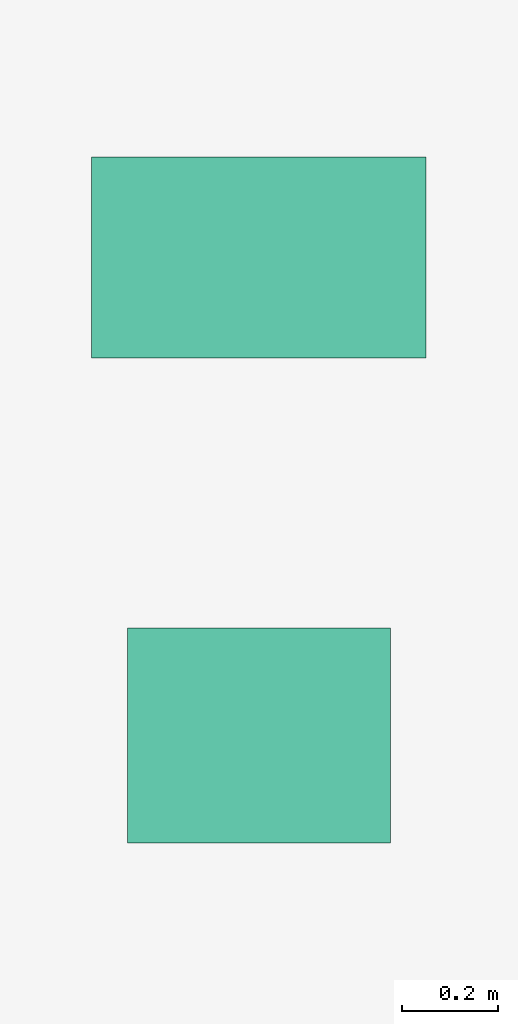
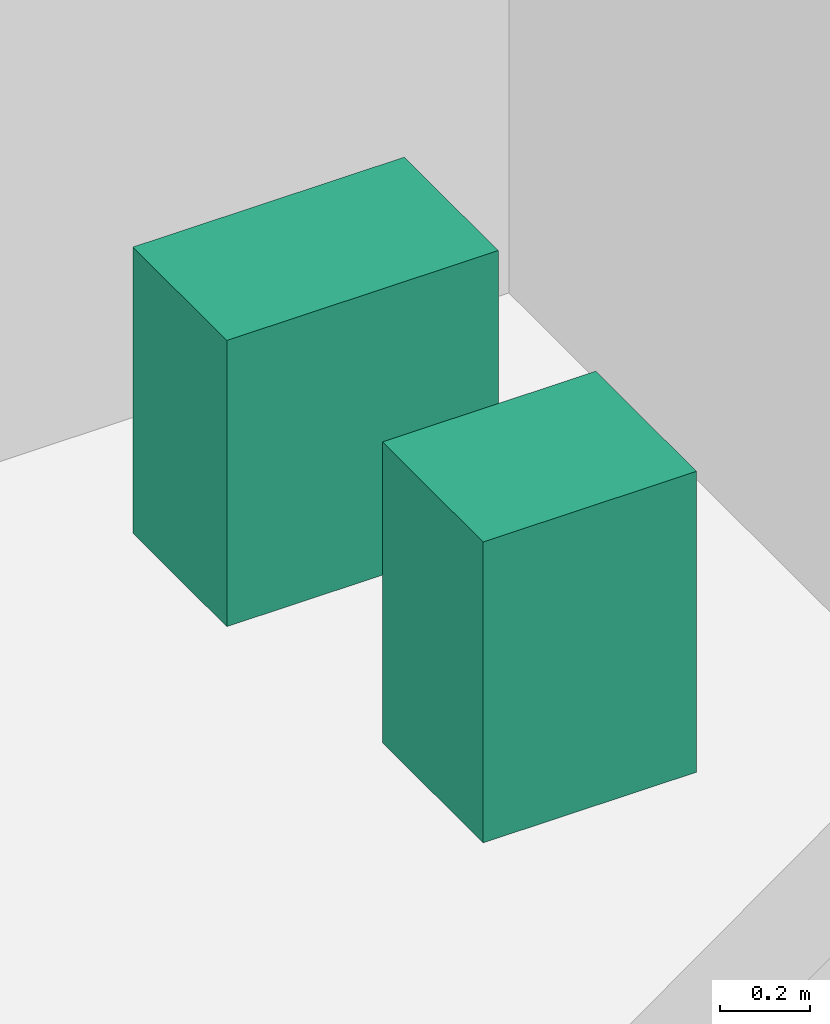
# One storey, part 37 of 37: 2 sanitary terminals.
"""IFC4 building model written with IfcOpenShell, lengths in metres."""

from ifc_helpers import new_model, si_unit, direction, frame, origin, origin_2d, place, context, subcontext, project, spatial, rectangle, extrude, source, transform, mapped, material, type_object, element, save


model = new_model("IFC4")

# Units and contexts
model_context = context("Model", 3, precision=1e-05, world=origin(), true_north=direction((0.0, 1.0)))
body_context = subcontext(model_context, "Body", "Model", "MODEL_VIEW")
ifc_project = project(units=[si_unit("LENGTHUNIT", "METRE"), si_unit("AREAUNIT", "SQUARE_METRE"), si_unit("VOLUMEUNIT", "CUBIC_METRE"), si_unit("PLANEANGLEUNIT", "RADIAN"), si_unit("MASSUNIT", "GRAM", prefix="KILO")], contexts=[model_context])

# Site, building, storey
site_placement = place(None, origin())
site = spatial("IfcSite", under=ifc_project, at=site_placement, CompositionType="ELEMENT")
building_placement = place(site_placement, origin())
building = spatial("IfcBuilding", under=site, at=building_placement, Name="Sumidabori Civic Tower", CompositionType="ELEMENT")
storey_placement = place(building_placement, frame((0.0, 0.0, 88.39990234375)))
storey = spatial("IfcBuildingStorey", under=building, at=storey_placement, Name="L22", CompositionType="ELEMENT", Elevation=88.39990234375)

# Sanitary terminals
ifc_material = material(Name="Vitreous Sanitary Porcelain")
sanitary_terminal_type_1 = type_object("IfcSanitaryTerminalType", Name="SN-WC-1", PredefinedType="TOILETPAN", material=ifc_material)
shared_shape_1 = source(origin(), body_context, "Body", "SweptSolid", [
    extrude(rectangle(XDim=0.699951171875, YDim=0.419921875, at=origin_2d()), origin(), (0.0, 0.0, 1.0), 0.780029296875),
])
sanitary_terminal_1_placement = place(storey_placement, frame((10.800048828125, 21.85009765625, 0.0), z_axis=(0.0, 0.0, 1.0), x_axis=(1.0, 0.0, 0.0)))
element("IfcSanitaryTerminal", 1, at=sanitary_terminal_1_placement, inside=storey, type_object=sanitary_terminal_type_1, Name="Accessible WC Pan L22", PredefinedType="TOILETPAN", context=body_context, shape_type="MappedRepresentation", body=[
    mapped(shared_shape_1, transform((0.0, 0.0, 0.0), x_axis=(1.0, 0.0, 0.0), y_axis=(0.0, 1.0, 0.0), z_axis=(0.0, 0.0, 1.0), scale=1.0)),
])
sanitary_terminal_type_2 = type_object("IfcSanitaryTerminalType", Name="SN-BAS-1", PredefinedType="WASHHANDBASIN", material=ifc_material)
shared_shape_2 = source(origin(), body_context, "Body", "SweptSolid", [
    extrude(rectangle(XDim=0.550048828125, YDim=0.449951171875, at=origin_2d()), origin(), (0.0, 0.0, 1.0), 0.820068359375),
])
sanitary_terminal_2_placement = place(storey_placement, frame((10.800048828125, 20.85009765625, 0.0), z_axis=(0.0, 0.0, 1.0), x_axis=(1.0, 0.0, 0.0)))
element("IfcSanitaryTerminal", 2, at=sanitary_terminal_2_placement, inside=storey, type_object=sanitary_terminal_type_2, Name="Accessible Basin L22", PredefinedType="WASHHANDBASIN", context=body_context, shape_type="MappedRepresentation", body=[
    mapped(shared_shape_2, transform((0.0, 0.0, 0.0), x_axis=(1.0, 0.0, 0.0), y_axis=(0.0, 1.0, 0.0), z_axis=(0.0, 0.0, 1.0), scale=1.0)),
])

save(model, "model.ifc")
